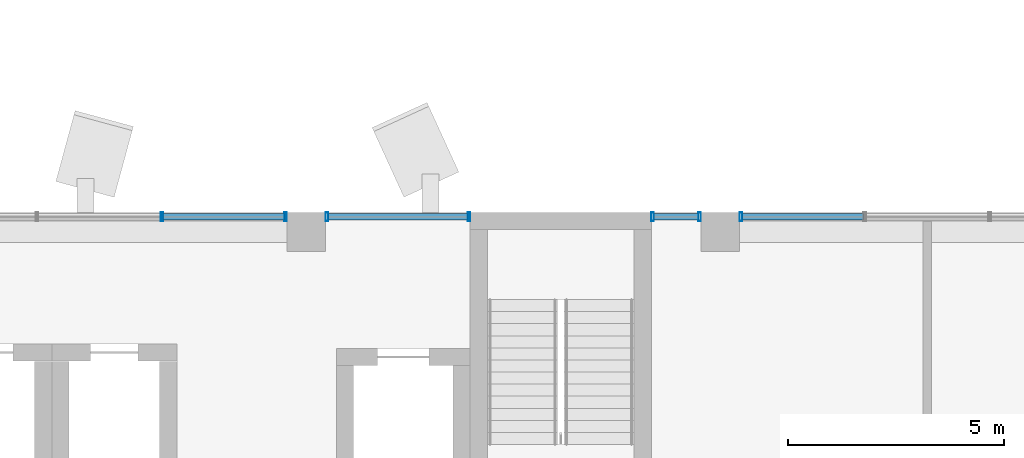
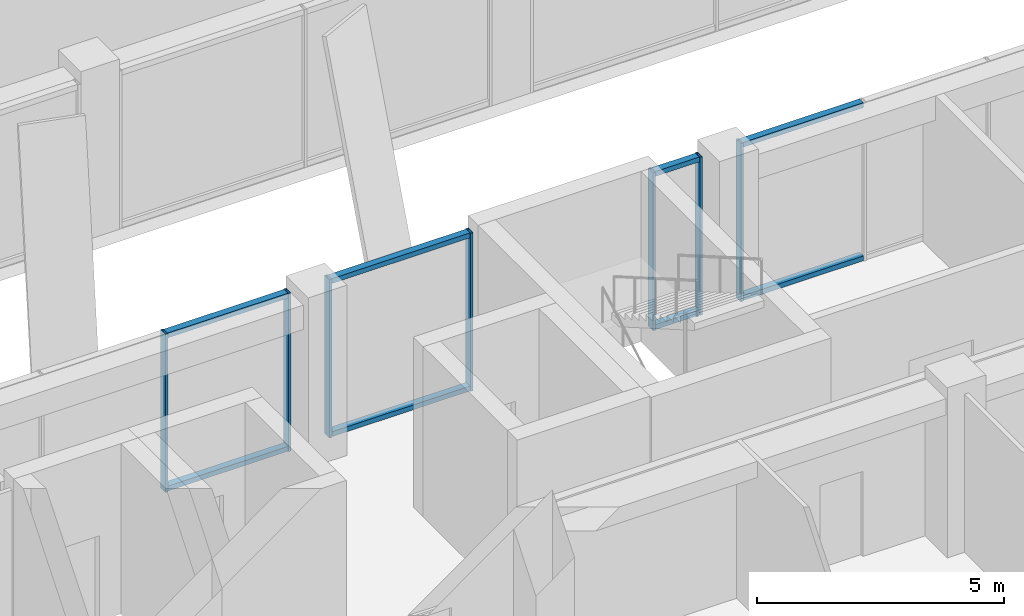
# One storey, part 9 of 36: 15 members, 4 elements without a shape of their own.
"""IFC4 building model written with IfcOpenShell, lengths in metres."""

from ifc_helpers import new_model, si_unit, direction, frame, origin, origin_2d, place, context, subcontext, project, spatial, hollow_rectangle, extrude, material, layer, layer_set, material_profile, profile_set, type_object, element, aggregate, save


model = new_model("IFC4")

# Units and contexts
model_context = context("Model", 3, precision=1e-05, world=origin(), true_north=direction((0.0, 1.0)))
body_context = subcontext(model_context, "Body", "Model", "MODEL_VIEW")
ifc_project = project(units=[si_unit("LENGTHUNIT", "METRE"), si_unit("AREAUNIT", "SQUARE_METRE"), si_unit("VOLUMEUNIT", "CUBIC_METRE"), si_unit("PLANEANGLEUNIT", "RADIAN"), si_unit("MASSUNIT", "GRAM", prefix="KILO")], contexts=[model_context])

# Site, building, storey
site_placement = place(None, origin())
site = spatial("IfcSite", under=ifc_project, at=site_placement, CompositionType="ELEMENT")
building_placement = place(site_placement, origin())
building = spatial("IfcBuilding", under=site, at=building_placement, Name="Nzadi Deep Aquarium and Research Tower", CompositionType="ELEMENT")
storey_placement = place(building_placement, frame((0.0, 0.0, 44.5)))
storey = spatial("IfcBuildingStorey", under=building, at=storey_placement, Name="L08", CompositionType="ELEMENT", Elevation=44.5)

# Curtain wall, members
ifc_material_1 = material(Name="Aluminium unitised frame", Category="aluminium")
ifc_layer = layer(ifc_material_1, 0.199951171875)
ifc_layer_set = layer_set([ifc_layer], Name="Aluminium unitised frame")
curtain_wall_type = type_object("IfcCurtainWallType", Name="Curtain wall Unitised 200", PredefinedType="NOTDEFINED", material=ifc_layer_set)
curtain_wall_1_placement = place(storey_placement, origin())
curtain_wall_1 = element("IfcCurtainWall", 1, at=curtain_wall_1_placement, inside=storey, type_object=curtain_wall_type, Name="Unitised curtain wall blade A north L08", PredefinedType="NOTDEFINED")
ifc_material_2 = material(Name="Aluminium unitised frame", Category="aluminium")
ifc_material_profile_1 = material_profile(ifc_material_2, hollow_rectangle(XDim=0.199951171875, YDim=0.06005859375, WallThickness=0.0048828125, at=origin_2d()))
ifc_profile_set_1 = profile_set([ifc_material_profile_1], Name="Aluminium unitised frame")
member_type_1 = type_object("IfcMemberType", Name="Mullion 60x200 Unitised", PredefinedType="MULLION", material=ifc_profile_set_1)
member_1_placement = place(storey_placement, frame((15.85009765625, 18.75, 0.0), z_axis=(0.0, 0.0, 1.0), x_axis=(0.0, 1.0, 0.0)))
member_1 = element("IfcMember", 2, at=member_1_placement, type_object=member_type_1, Name="CW024 mullion 3", PredefinedType="MULLION", context=body_context, shape_type="SweptSolid", body=[
    extrude(hollow_rectangle(XDim=0.199951171875, YDim=0.06005859375, WallThickness=0.0048828125, at=origin_2d()), origin(), (0.0, 0.0, 1.0), 3.89990234375),
])
member_2_placement = place(storey_placement, frame((18.719970703125, 18.75, 0.0), z_axis=(0.0, 0.0, 1.0), x_axis=(0.0, 1.0, 0.0)))
member_2 = element("IfcMember", 3, at=member_2_placement, type_object=member_type_1, Name="CW024 mullion 4", PredefinedType="MULLION", context=body_context, shape_type="SweptSolid", body=[
    extrude(hollow_rectangle(XDim=0.199951171875, YDim=0.06005859375, WallThickness=0.0048828125, at=origin_2d()), origin(), (0.0, 0.0, 1.0), 3.89990234375),
])

curtain_wall_2_placement = place(storey_placement, origin())
curtain_wall_2 = element("IfcCurtainWall", 4, at=curtain_wall_2_placement, inside=storey, type_object=curtain_wall_type, Name="Unitised curtain wall blade A north L08", PredefinedType="NOTDEFINED")
member_3_placement = place(storey_placement, frame((19.679931640625, 18.75, 0.0), z_axis=(0.0, 0.0, 1.0), x_axis=(0.0, 1.0, 0.0)))
member_3 = element("IfcMember", 5, at=member_3_placement, type_object=member_type_1, Name="CW025 mullion 1", PredefinedType="MULLION", context=body_context, shape_type="SweptSolid", body=[
    extrude(hollow_rectangle(XDim=0.199951171875, YDim=0.06005859375, WallThickness=0.0048828125, at=origin_2d()), origin(), (0.0, 0.0, 1.0), 3.89990234375),
])
member_4_placement = place(storey_placement, frame((22.969970703125, 18.75, 0.0), z_axis=(0.0, 0.0, 1.0), x_axis=(0.0, 1.0, 0.0)))
member_4 = element("IfcMember", 6, at=member_4_placement, type_object=member_type_1, Name="CW025 mullion 2", PredefinedType="MULLION", context=body_context, shape_type="SweptSolid", body=[
    extrude(hollow_rectangle(XDim=0.199951171875, YDim=0.06005859375, WallThickness=0.0048828125, at=origin_2d()), origin(), (0.0, 0.0, 1.0), 3.89990234375),
])

curtain_wall_3_placement = place(storey_placement, origin())
curtain_wall_3 = element("IfcCurtainWall", 7, at=curtain_wall_3_placement, inside=storey, type_object=curtain_wall_type, Name="Unitised curtain wall blade A north L08", PredefinedType="NOTDEFINED")
member_5_placement = place(storey_placement, frame((27.22998046875, 18.75, 0.0), z_axis=(0.0, 0.0, 1.0), x_axis=(0.0, 1.0, 0.0)))
member_5 = element("IfcMember", 8, at=member_5_placement, type_object=member_type_1, Name="CW026 mullion 1", PredefinedType="MULLION", context=body_context, shape_type="SweptSolid", body=[
    extrude(hollow_rectangle(XDim=0.199951171875, YDim=0.06005859375, WallThickness=0.0048828125, at=origin_2d()), origin(), (0.0, 0.0, 1.0), 3.89990234375),
])
member_6_placement = place(storey_placement, frame((28.320068359375, 18.75, 0.0), z_axis=(0.0, 0.0, 1.0), x_axis=(0.0, 1.0, 0.0)))
member_6 = element("IfcMember", 9, at=member_6_placement, type_object=member_type_1, Name="CW026 mullion 2", PredefinedType="MULLION", context=body_context, shape_type="SweptSolid", body=[
    extrude(hollow_rectangle(XDim=0.199951171875, YDim=0.06005859375, WallThickness=0.0048828125, at=origin_2d()), origin(), (0.0, 0.0, 1.0), 3.89990234375),
])

# Curtain wall, member
curtain_wall_4_placement = place(storey_placement, origin())
curtain_wall_4 = element("IfcCurtainWall", 10, at=curtain_wall_4_placement, inside=storey, type_object=curtain_wall_type, Name="Unitised curtain wall blade A north L08", PredefinedType="NOTDEFINED")
member_7_placement = place(storey_placement, frame((29.280029296875, 18.75, 0.0), z_axis=(0.0, 0.0, 1.0), x_axis=(0.0, 1.0, 0.0)))
member_7 = element("IfcMember", 11, at=member_7_placement, type_object=member_type_1, Name="CW027 mullion 1", PredefinedType="MULLION", context=body_context, shape_type="SweptSolid", body=[
    extrude(hollow_rectangle(XDim=0.199951171875, YDim=0.06005859375, WallThickness=0.0048828125, at=origin_2d()), origin(), (0.0, 0.0, 1.0), 3.89990234375),
])

# Member
ifc_material_3 = material(Name="Aluminium unitised frame", Category="aluminium")
ifc_material_profile_2 = material_profile(ifc_material_3, hollow_rectangle(XDim=0.159912109375, YDim=0.1201171875, WallThickness=0.0048828125, at=origin_2d()))
ifc_profile_set_2 = profile_set([ifc_material_profile_2], Name="Aluminium unitised frame")
member_type_2 = type_object("IfcMemberType", Name="Transom 120x160 Unitised", PredefinedType="MULLION", material=ifc_profile_set_2)
member_8_placement = place(storey_placement, frame((15.8798828125, 18.75, 0.06005859375), z_axis=(1.0, 0.0, 0.0), x_axis=(0.0, 1.0, 0.0)))
member_8 = element("IfcMember", 12, at=member_8_placement, type_object=member_type_2, Name="CW024 transom 3.1", PredefinedType="MULLION", context=body_context, shape_type="SweptSolid", body=[
    extrude(hollow_rectangle(XDim=0.159912109375, YDim=0.1201171875, WallThickness=0.0048828125, at=origin_2d()), origin(), (0.0, 0.0, 1.0), 2.81005859375),
])

member_9_placement = place(storey_placement, frame((15.8798828125, 18.75, 3.840087890625), z_axis=(1.0, 0.0, 0.0), x_axis=(0.0, 1.0, 0.0)))
member_9 = element("IfcMember", 13, at=member_9_placement, type_object=member_type_2, Name="CW024 transom 3.2", PredefinedType="MULLION", context=body_context, shape_type="SweptSolid", body=[
    extrude(hollow_rectangle(XDim=0.159912109375, YDim=0.1201171875, WallThickness=0.0048828125, at=origin_2d()), origin(), (0.0, 0.0, 1.0), 2.81005859375),
])

aggregate(curtain_wall_1, [member_1, member_2, member_8, member_9])

member_10_placement = place(storey_placement, frame((19.7099609375, 18.75, 0.06005859375), z_axis=(1.0, 0.0, 0.0), x_axis=(0.0, 1.0, 0.0)))
member_10 = element("IfcMember", 14, at=member_10_placement, type_object=member_type_2, Name="CW025 transom 1.1", PredefinedType="MULLION", context=body_context, shape_type="SweptSolid", body=[
    extrude(hollow_rectangle(XDim=0.159912109375, YDim=0.1201171875, WallThickness=0.0048828125, at=origin_2d()), origin(), (0.0, 0.0, 1.0), 3.22998046875),
])

member_11_placement = place(storey_placement, frame((19.7099609375, 18.75, 3.840087890625), z_axis=(1.0, 0.0, 0.0), x_axis=(0.0, 1.0, 0.0)))
member_11 = element("IfcMember", 15, at=member_11_placement, type_object=member_type_2, Name="CW025 transom 1.2", PredefinedType="MULLION", context=body_context, shape_type="SweptSolid", body=[
    extrude(hollow_rectangle(XDim=0.159912109375, YDim=0.1201171875, WallThickness=0.0048828125, at=origin_2d()), origin(), (0.0, 0.0, 1.0), 3.22998046875),
])

aggregate(curtain_wall_2, [member_3, member_4, member_10, member_11])

member_12_placement = place(storey_placement, frame((27.260009765625, 18.75, 0.06005859375), z_axis=(1.0, 0.0, 0.0), x_axis=(0.0, 1.0, 0.0)))
member_12 = element("IfcMember", 16, at=member_12_placement, type_object=member_type_2, Name="CW026 transom 1.1", PredefinedType="MULLION", context=body_context, shape_type="SweptSolid", body=[
    extrude(hollow_rectangle(XDim=0.159912109375, YDim=0.1201171875, WallThickness=0.0048828125, at=origin_2d()), origin(), (0.0, 0.0, 1.0), 1.030029296875),
])

member_13_placement = place(storey_placement, frame((27.260009765625, 18.75, 3.840087890625), z_axis=(1.0, 0.0, 0.0), x_axis=(0.0, 1.0, 0.0)))
member_13 = element("IfcMember", 17, at=member_13_placement, type_object=member_type_2, Name="CW026 transom 1.2", PredefinedType="MULLION", context=body_context, shape_type="SweptSolid", body=[
    extrude(hollow_rectangle(XDim=0.159912109375, YDim=0.1201171875, WallThickness=0.0048828125, at=origin_2d()), origin(), (0.0, 0.0, 1.0), 1.030029296875),
])

aggregate(curtain_wall_3, [member_5, member_6, member_12, member_13])

member_14_placement = place(storey_placement, frame((29.31005859375, 18.75, 0.06005859375), z_axis=(1.0, 0.0, 0.0), x_axis=(0.0, 1.0, 0.0)))
member_14 = element("IfcMember", 18, at=member_14_placement, type_object=member_type_2, Name="CW027 transom 1.1", PredefinedType="MULLION", context=body_context, shape_type="SweptSolid", body=[
    extrude(hollow_rectangle(XDim=0.159912109375, YDim=0.1201171875, WallThickness=0.0048828125, at=origin_2d()), origin(), (0.0, 0.0, 1.0), 2.81005859375),
])

member_15_placement = place(storey_placement, frame((29.31005859375, 18.75, 3.840087890625), z_axis=(1.0, 0.0, 0.0), x_axis=(0.0, 1.0, 0.0)))
member_15 = element("IfcMember", 19, at=member_15_placement, type_object=member_type_2, Name="CW027 transom 1.2", PredefinedType="MULLION", context=body_context, shape_type="SweptSolid", body=[
    extrude(hollow_rectangle(XDim=0.159912109375, YDim=0.1201171875, WallThickness=0.0048828125, at=origin_2d()), origin(), (0.0, 0.0, 1.0), 2.81005859375),
])

aggregate(curtain_wall_4, [member_7, member_14, member_15])

save(model, "model.ifc")
